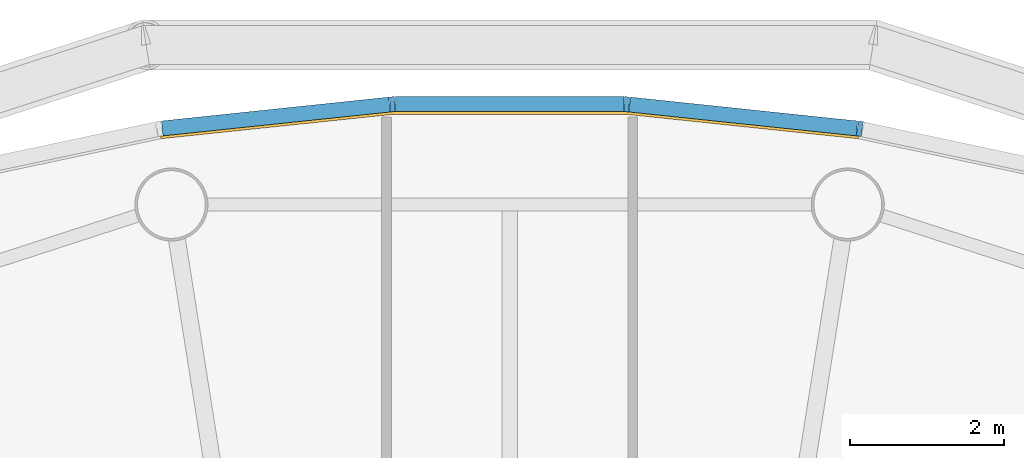
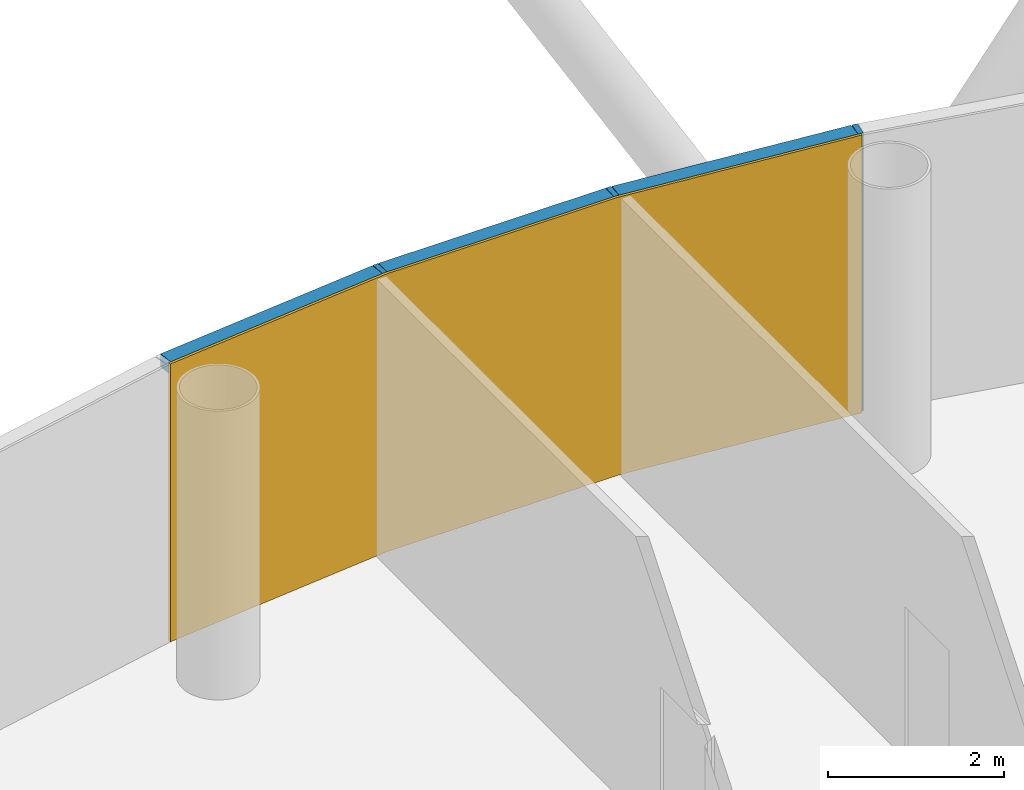
# One storey, part 11 of 13: 6 members, 1 curtain wall.
"""IFC4 building model written with IfcOpenShell, lengths in metres."""

from ifc_helpers import new_model, si_unit, direction, frame, origin, origin_2d, place, context, subcontext, project, spatial, polyline, rectangle, outline, extrude, material, layer, layer_set, material_profile, profile_set, type_object, element, aggregate, save


model = new_model("IFC4")

# Units and contexts
model_context = context("Model", 3, precision=1e-05, world=origin(), true_north=direction((0.0, 1.0)))
body_context = subcontext(model_context, "Body", "Model", "MODEL_VIEW")
ifc_project = project(units=[si_unit("LENGTHUNIT", "METRE"), si_unit("AREAUNIT", "SQUARE_METRE"), si_unit("VOLUMEUNIT", "CUBIC_METRE"), si_unit("PLANEANGLEUNIT", "RADIAN"), si_unit("MASSUNIT", "GRAM", prefix="KILO")], contexts=[model_context])

# Member
ifc_material_1 = material(Name="Anodised aluminium", Category="aluminium")
ifc_material_profile_1 = material_profile(ifc_material_1, rectangle(XDim=0.06494140625, YDim=0.195068359375, at=origin_2d()), Name="Mullion 65 x 195 mm anodised aluminium")
ifc_profile_set_1 = profile_set([ifc_material_profile_1], Name="Anodised aluminium")
member_type_1 = type_object("IfcMemberType", Name="Mullion 65 x 195 mm anodised aluminium", PredefinedType="MULLION", material=ifc_profile_set_1)
site_placement = place(None, origin())
building_placement = place(site_placement, origin())
storey_placement = place(building_placement, frame((0.0, 0.0, 294.0)))
member_1_placement = place(storey_placement, frame((94.5517578125, 108.7392578125, 0.0), z_axis=(0.0, 0.0, 1.0), x_axis=(-0.987688340595, 0.15643446504, 0.0)))
member_1 = element("IfcMember", 1, at=member_1_placement, type_object=member_type_1, Name="MULLION L67-12", PredefinedType="MULLION", context=body_context, shape_type="SweptSolid", body=[
    extrude(rectangle(XDim=0.06494140625, YDim=0.195068359375, at=origin_2d()), origin(), (0.0, 0.0, 1.0), 3.85009765625),
])

member_2_placement = place(storey_placement, frame((91.52294921875, 109.0576171875, 0.0), z_axis=(0.0, 0.0, 1.0), x_axis=(-0.998629534755, 0.052335956243, 0.0)))
member_2 = element("IfcMember", 2, at=member_2_placement, type_object=member_type_1, Name="MULLION L67-13", PredefinedType="MULLION", context=body_context, shape_type="SweptSolid", body=[
    extrude(rectangle(XDim=0.06494140625, YDim=0.195068359375, at=origin_2d()), origin(), (0.0, 0.0, 1.0), 3.85009765625),
])

member_3_placement = place(storey_placement, frame((88.47705078125, 109.0576171875, 0.0), z_axis=(0.0, 0.0, 1.0), x_axis=(-0.998629534755, -0.052335956243, 0.0)))
member_3 = element("IfcMember", 3, at=member_3_placement, type_object=member_type_1, Name="MULLION L67-14", PredefinedType="MULLION", context=body_context, shape_type="SweptSolid", body=[
    extrude(rectangle(XDim=0.06494140625, YDim=0.195068359375, at=origin_2d()), origin(), (0.0, 0.0, 1.0), 3.85009765625),
])

ifc_material_2 = material(Name="Anodised aluminium", Category="aluminium")
ifc_material_profile_2 = material_profile(ifc_material_2, rectangle(XDim=0.195068359375, YDim=0.179931640625, at=origin_2d()), Name="Transom 180 x 195 mm anodised aluminium")
ifc_profile_set_2 = profile_set([ifc_material_profile_2], Name="Anodised aluminium")
member_type_2 = type_object("IfcMemberType", Name="Transom 180 x 195 mm anodised aluminium", PredefinedType="USERDEFINED", material=ifc_profile_set_2)
member_4_placement = place(storey_placement, frame((94.514404296875, 108.743408203125, 3.760009765625), z_axis=(-0.994528397827, 0.104466577987, 0.0), x_axis=(-0.104466577987, -0.994528397827, 0.0)))
member_4 = element("IfcMember", 4, at=member_4_placement, type_object=member_type_2, Name="TRANSOM L67-12", ObjectType="TRANSOM", PredefinedType="USERDEFINED", context=body_context, shape_type="SweptSolid", body=[
    extrude(rectangle(XDim=0.195068359375, YDim=0.179931640625, at=origin_2d()), origin(), (0.0, 0.0, 1.0), 2.970458984375),
])

member_5_placement = place(storey_placement, frame((91.4853515625, 109.057861328125, 3.760009765625), z_axis=(-1.0, 0.0, 0.0), x_axis=(0.0, -1.0, 0.0)))
member_5 = element("IfcMember", 5, at=member_5_placement, type_object=member_type_2, Name="TRANSOM L67-13", ObjectType="TRANSOM", PredefinedType="USERDEFINED", context=body_context, shape_type="SweptSolid", body=[
    extrude(rectangle(XDim=0.195068359375, YDim=0.179931640625, at=origin_2d()), origin(), (0.0, 0.0, 1.0), 2.970703125),
])

member_6_placement = place(storey_placement, frame((88.439697265625, 109.0537109375, 3.760009765625), z_axis=(-0.994528397827, -0.104466577987, 0.0), x_axis=(0.104466577987, -0.994528397827, 0.0)))
member_6 = element("IfcMember", 6, at=member_6_placement, type_object=member_type_2, Name="TRANSOM L67-14", ObjectType="TRANSOM", PredefinedType="USERDEFINED", context=body_context, shape_type="SweptSolid", body=[
    extrude(rectangle(XDim=0.195068359375, YDim=0.179931640625, at=origin_2d()), origin(), (0.0, 0.0, 1.0), 2.970458984375),
])

# Site, building, storey
site = spatial("IfcSite", under=ifc_project, at=site_placement, CompositionType="ELEMENT")
building = spatial("IfcBuilding", under=site, at=building_placement, Name="Entoto Ring Tower", CompositionType="ELEMENT")
storey = spatial("IfcBuildingStorey", under=building, at=storey_placement, Name="L67", CompositionType="ELEMENT", Elevation=294.0)

# Curtain wall
ifc_material_3 = material(Name="Clear low-iron glass", Category="glass")
ifc_layer = layer(ifc_material_3, 0.033935546875)
ifc_layer_set = layer_set([ifc_layer], Name="Clear low-iron glass")
curtain_wall_type = type_object("IfcCurtainWallType", Name="Curtain wall system CW5 glazing 34 mm", PredefinedType="NOTDEFINED", material=ifc_layer_set)
curtain_wall_placement = place(storey_placement, origin())
curtain_wall = element("IfcCurtainWall", 7, at=curtain_wall_placement, inside=storey, type_object=curtain_wall_type, Name="CW5 L67-05", PredefinedType="NOTDEFINED", context=body_context, shape_type="SweptSolid", body=[
    extrude(outline(polyline([(94.53662109375, 108.64306640625), (91.517822265625, 108.960205078125), (88.482177734375, 108.960205078125), (85.46337890625, 108.64306640625), (85.46875, 108.609375), (88.484130859375, 108.92626953125), (91.515869140625, 108.92626953125), (94.53125, 108.609375), (94.53662109375, 108.64306640625)])), origin(), (0.0, 0.0, 1.0), 3.85009765625),
])

aggregate(curtain_wall, [member_1, member_2, member_3, member_4, member_5, member_6])

save(model, "model.ifc")
